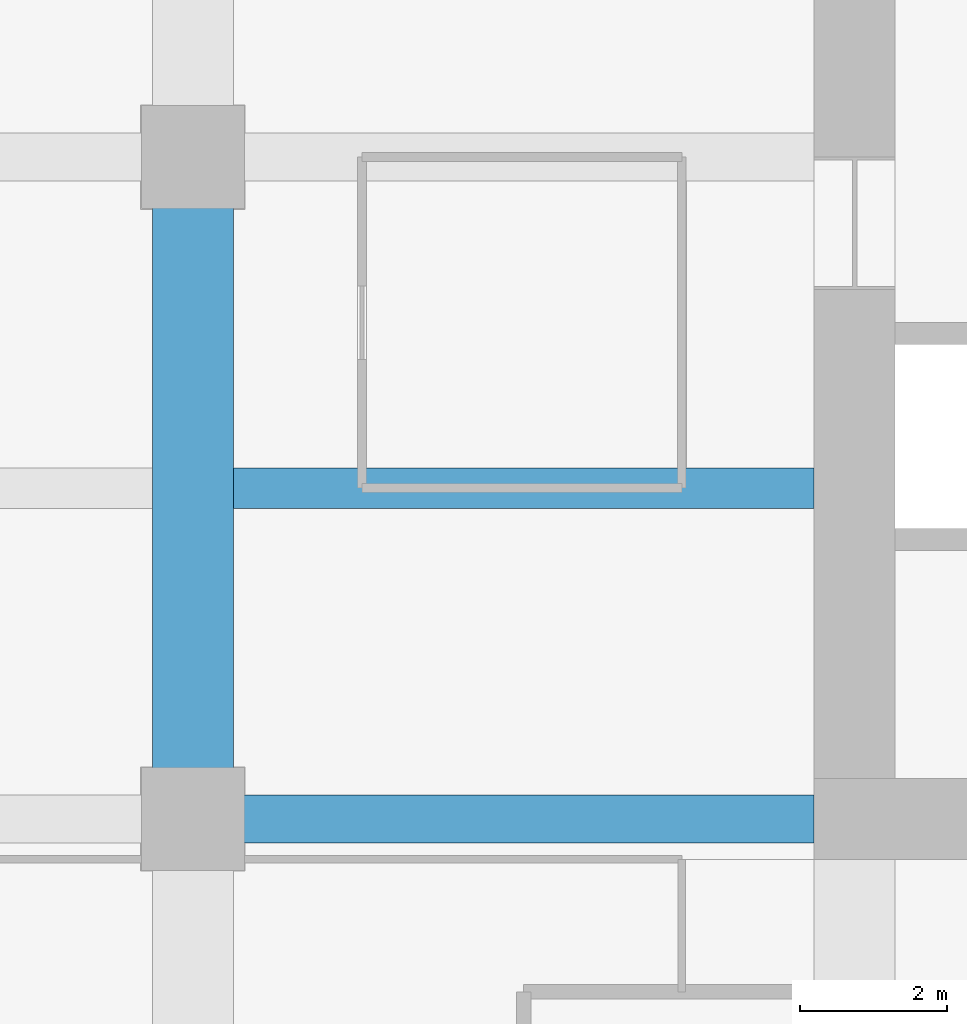
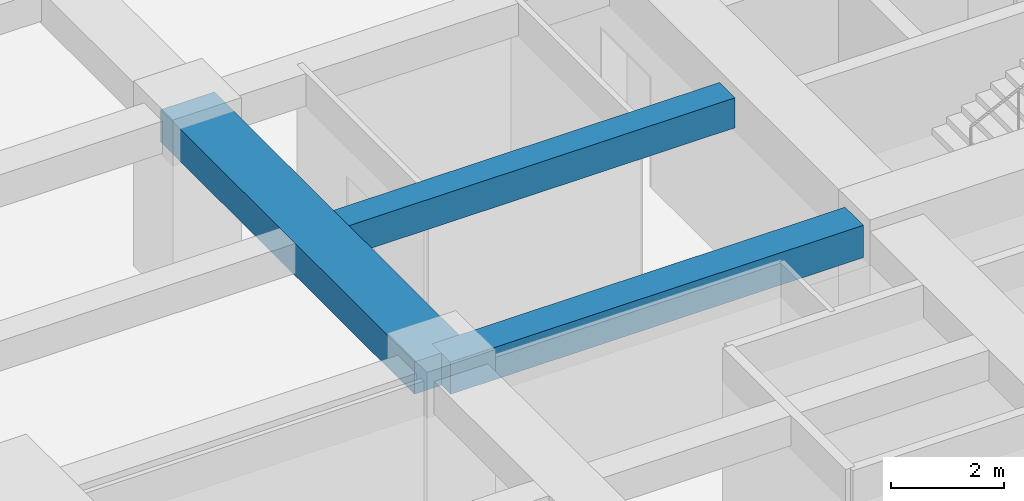
# One storey, part 10 of 33: 3 beams.
"""IFC4 building model written with IfcOpenShell, lengths in metres."""

from ifc_helpers import new_model, si_unit, direction, frame, origin, origin_2d, place, context, subcontext, project, spatial, rectangle, extrude, material, material_profile, profile_set, type_object, element, save


model = new_model("IFC4")

# Units and contexts
model_context = context("Model", 3, precision=1e-05, world=origin(), true_north=direction((0.0, 1.0)))
body_context = subcontext(model_context, "Body", "Model", "MODEL_VIEW")
ifc_project = project(units=[si_unit("LENGTHUNIT", "METRE"), si_unit("AREAUNIT", "SQUARE_METRE"), si_unit("VOLUMEUNIT", "CUBIC_METRE"), si_unit("PLANEANGLEUNIT", "RADIAN"), si_unit("MASSUNIT", "GRAM", prefix="KILO")], contexts=[model_context])

# Site, building, storey
site_placement = place(None, origin())
site = spatial("IfcSite", under=ifc_project, at=site_placement, CompositionType="ELEMENT")
building_placement = place(site_placement, origin())
building = spatial("IfcBuilding", under=site, at=building_placement, Name="Zorevar Civic Tower", CompositionType="ELEMENT")
storey_placement = place(building_placement, frame((0.0, 0.0, 206.199951171875)))
storey = spatial("IfcBuildingStorey", under=building, at=storey_placement, Name="L50", CompositionType="ELEMENT", Elevation=206.199951171875)

# Beams
ifc_material_1 = material(Name="Concrete C50/60", Category="concrete")
ifc_material_profile_1 = material_profile(ifc_material_1, rectangle(XDim=1.10009765625, YDim=0.699951171875, at=origin_2d()), Name="RC 1100x700")
ifc_profile_set_1 = profile_set([ifc_material_profile_1], Name="Concrete C50/60")
beam_type_1 = type_object("IfcBeamType", Name="Beam RC 1100x700", PredefinedType="BEAM", material=ifc_profile_set_1)
beam_1_placement = place(storey_placement, frame((9.0, 18.0, 3.400146484375), z_axis=(0.0, 1.0, 0.0), x_axis=(-1.0, 0.0, 0.0)))
element("IfcBeam", 1, at=beam_1_placement, inside=storey, type_object=beam_type_1, Name="Girder L51", PredefinedType="BEAM", context=body_context, shape_type="SweptSolid", body=[
    extrude(rectangle(XDim=1.10009765625, YDim=0.699951171875, at=origin_2d()), origin(), (0.0, 0.0, 1.0), 9.0),
])
ifc_material_2 = material(Name="Concrete C50/60", Category="concrete")
ifc_material_profile_2 = material_profile(ifc_material_2, rectangle(XDim=0.550048828125, YDim=0.64990234375, at=origin_2d()), Name="RC 550x650")
ifc_profile_set_2 = profile_set([ifc_material_profile_2], Name="Concrete C50/60")
beam_type_2 = type_object("IfcBeamType", Name="Beam RC 550x650", PredefinedType="BEAM", material=ifc_profile_set_2)
beam_2_placement = place(storey_placement, frame((9.550048828125, 22.5, 3.425048828125), z_axis=(1.0, 0.0, 0.0), x_axis=(0.0, 1.0, 0.0)))
element("IfcBeam", 2, at=beam_2_placement, inside=storey, type_object=beam_type_2, Name="Secondary beam L51", PredefinedType="BEAM", context=body_context, shape_type="SweptSolid", body=[
    extrude(rectangle(XDim=0.550048828125, YDim=0.64990234375, at=origin_2d()), origin(), (0.0, 0.0, 1.0), 7.89990234375),
])
ifc_material_3 = material(Name="Concrete C50/60", Category="concrete")
ifc_material_profile_3 = material_profile(ifc_material_3, rectangle(XDim=0.64990234375, YDim=0.699951171875, at=origin_2d()), Name="RC 650x700")
ifc_profile_set_3 = profile_set([ifc_material_profile_3], Name="Concrete C50/60")
beam_type_3 = type_object("IfcBeamType", Name="Beam RC 650x700", PredefinedType="BEAM", material=ifc_profile_set_3)
beam_3_placement = place(storey_placement, frame((9.0, 18.0, 3.400146484375), z_axis=(1.0, 0.0, 0.0), x_axis=(0.0, 1.0, 0.0)))
element("IfcBeam", 3, at=beam_3_placement, inside=storey, type_object=beam_type_3, Name="Girder L51", PredefinedType="BEAM", context=body_context, shape_type="SweptSolid", body=[
    extrude(rectangle(XDim=0.64990234375, YDim=0.699951171875, at=origin_2d()), origin(), (0.0, 0.0, 1.0), 8.449951171875),
])

save(model, "model.ifc")
